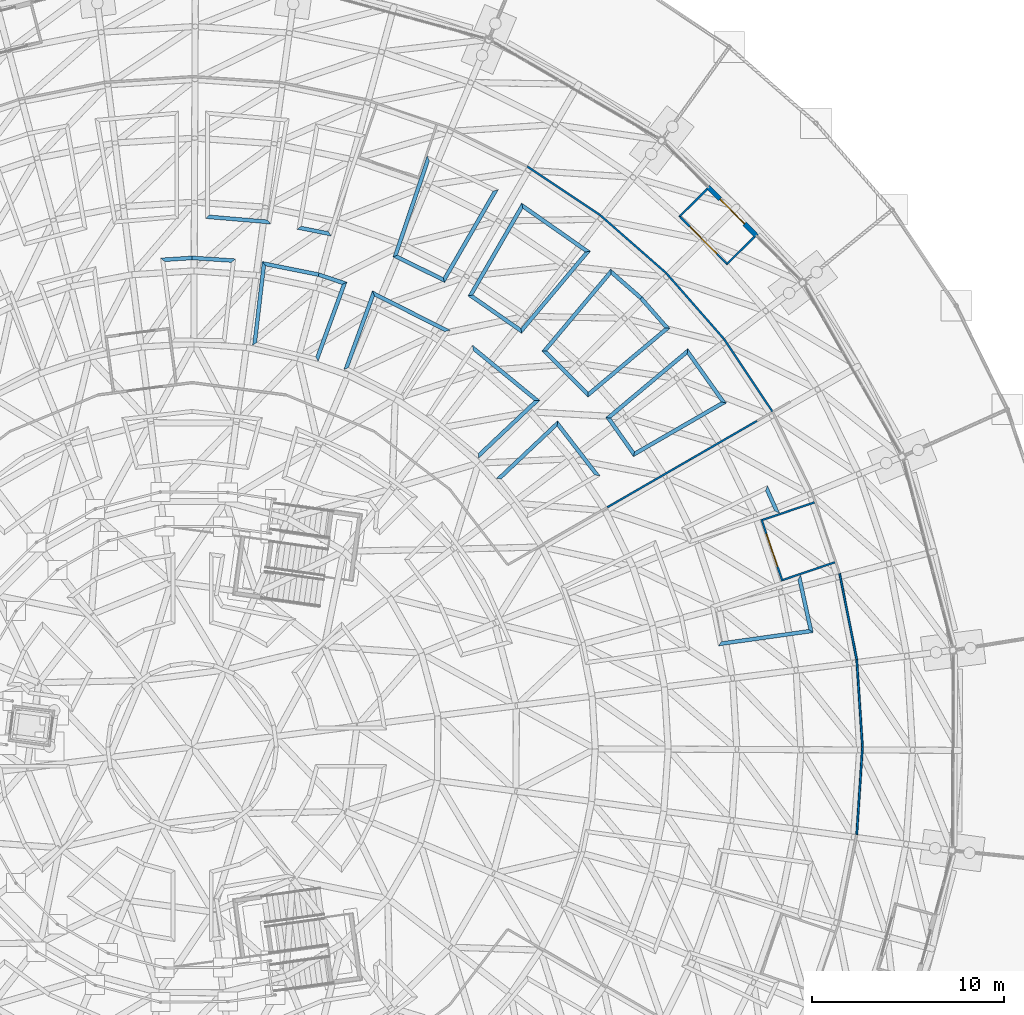
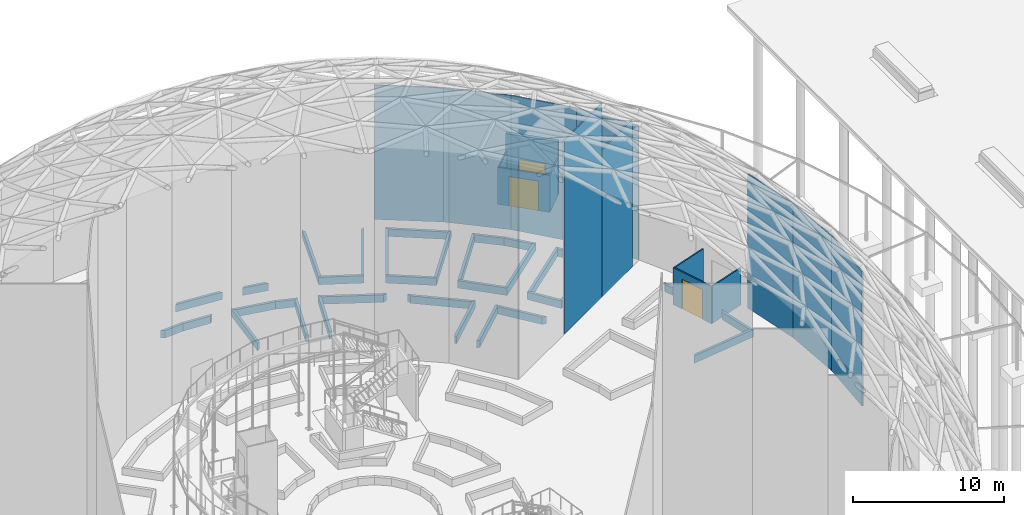
# One storey, part 179 of 226: 49 walls, 3 doors, 3 openings.
"""IFC4 building model written with IfcOpenShell, lengths in metres."""

from ifc_helpers import new_model, si_unit, direction, frame, frame_2d, origin, place, context, subcontext, project, spatial, polyline, rectangle, outline, extrude, material, layer, layer_set, type_object, element, fill, save


model = new_model("IFC4")

# Units and contexts
model_context = context("Model", 3, precision=1e-05, world=origin(), true_north=direction((0.0, 1.0)))
body_context = subcontext(model_context, "Body", "Model", "MODEL_VIEW")
ifc_project = project(units=[si_unit("LENGTHUNIT", "METRE"), si_unit("AREAUNIT", "SQUARE_METRE"), si_unit("VOLUMEUNIT", "CUBIC_METRE"), si_unit("PLANEANGLEUNIT", "RADIAN"), si_unit("MASSUNIT", "GRAM", prefix="KILO")], contexts=[model_context])

# Site, building, storey
site_placement = place(None, origin())
site = spatial("IfcSite", under=ifc_project, at=site_placement, CompositionType="ELEMENT")
building_placement = place(site_placement, origin())
building = spatial("IfcBuilding", under=site, at=building_placement, Name="Ceibo Conservatory and Research Tower", CompositionType="ELEMENT")
storey_placement = place(building_placement, origin())
storey = spatial("IfcBuildingStorey", under=building, at=storey_placement, Name="L00", CompositionType="ELEMENT", Elevation=0.0)

# Wall
ifc_material_1 = material(Name="Aluminium and glass", Category="aluminium")
ifc_layer_1 = layer(ifc_material_1, 0.10009765625)
ifc_layer_set_1 = layer_set([ifc_layer_1], Name="Aluminium and glass")
wall_type_1 = type_object("IfcWallType", Name="Airlock screen wall 100", PredefinedType="PARTITIONING", material=ifc_layer_set_1)
wall_1_placement = place(storey_placement, frame((185.3076171875, 134.5888671875, 0.0), z_axis=(0.0, 0.0, 1.0), x_axis=(-0.710212756129, -0.703987102887, 0.0)))
element("IfcWall", 1, at=wall_1_placement, inside=storey, type_object=wall_type_1, Name="Vestibule wall A-VW03", PredefinedType="PARTITIONING", context=body_context, shape_type="SweptSolid", body=[
    extrude(outline(polyline([(0.0, -0.050048828125), (1.949951171875, -0.050048828125), (2.050048828125, 0.050048828125), (0.0, 0.050048828125), (0.0, -0.050048828125)])), origin(), (0.0, 0.0, 1.0), 3.0),
])

# Wall, opening, door
wall_2_placement = place(storey_placement, frame((183.88720703125, 133.180908203125, 0.0), z_axis=(0.0, 0.0, 1.0), x_axis=(-0.704030927659, 0.71016931284, 0.0)))
wall_2 = element("IfcWall", 2, at=wall_2_placement, inside=storey, type_object=wall_type_1, Name="Vestibule wall A-VW03", PredefinedType="PARTITIONING", context=body_context, shape_type="SweptSolid", body=[
    extrude(outline(polyline([(0.050048828125, -0.050048828125), (3.449951171875, -0.050048828125), (3.550048828125, 0.050048828125), (-0.050048828125, 0.050048828125), (0.050048828125, -0.050048828125)])), origin(), (0.0, 0.0, 1.0), 3.0),
])
opening_1_placement = place(wall_2_placement, frame((0.75, 0.0, 0.0)))
opening_1 = element("IfcOpeningElement", 3, at=opening_1_placement, cuts=wall_2, Name="Opening A-VD03", PredefinedType="OPENING", context=body_context, shape_type="SweptSolid", body=[
    extrude(rectangle(XDim=2.0, YDim=2.39990234375, at=frame_2d((1.0, 1.199951171875))), frame((0.0, 0.06005859375, 0.0), z_axis=(0.0, -1.0, 0.0), x_axis=(1.0, 0.0, 0.0)), (0.0, 0.0, 1.0), 0.1201171875),
])
door_type_1 = type_object("IfcDoorType", Name="Gallery sliding door 2000x2400", OperationType="DOUBLE_DOOR_SLIDING", PredefinedType="DOOR", material=ifc_material_1)
door_1_placement = place(opening_1_placement, origin())
door_1 = element("IfcDoor", 4, at=door_1_placement, inside=storey, type_object=door_type_1, Name="Vestibule door A-VD03", OperationType="DOUBLE_DOOR_SLIDING", OverallHeight=2.39990234375, OverallWidth=2.0, PredefinedType="DOOR", context=body_context, shape_type="SweptSolid", body=[
    extrude(rectangle(XDim=2.0, YDim=2.39990234375, at=frame_2d((1.0, 1.199951171875))), frame((0.0, 0.02490234375, 0.0), z_axis=(0.0, -1.0, 0.0), x_axis=(1.0, 0.0, 0.0)), (0.0, 0.0, 1.0), 0.050048828125),
])
fill(opening_1, door_1)

# Walls
wall_3_placement = place(storey_placement, frame((181.423095703125, 135.66650390625, 0.0), z_axis=(0.0, 0.0, 1.0), x_axis=(0.710212756129, 0.703987102887, 0.0)))
element("IfcWall", 5, at=wall_3_placement, inside=storey, type_object=wall_type_1, Name="Vestibule wall A-VW03", PredefinedType="PARTITIONING", context=body_context, shape_type="SweptSolid", body=[
    extrude(outline(polyline([(0.050048828125, -0.050048828125), (2.0, -0.050048828125), (2.0, 0.050048828125), (-0.050048828125, 0.050048828125), (0.050048828125, -0.050048828125)])), origin(), (0.0, 0.0, 1.0), 3.0),
])
wall_4_placement = place(storey_placement, frame((190.949951171875, 108.0, 0.0), z_axis=(0.0, 0.0, 1.0), x_axis=(-0.065420166596, 0.997857806405, 0.0)))
element("IfcWall", 6, at=wall_4_placement, inside=storey, type_object=wall_type_1, Name="Glazed partition O", PredefinedType="PARTITIONING", context=body_context, shape_type="SweptSolid", body=[
    extrude(outline(polyline([(-0.003173828125, -0.050048828125), (4.57470703125, -0.050048828125), (4.568359375, 0.050048828125), (0.003173828125, 0.050048828125), (-0.003173828125, -0.050048828125)])), origin(), (0.0, 0.0, 1.0), 10.84130859375),
])
for number, where, z_axis, x_axis, name in (
    (7, (190.65087890625, 112.561767578125, 0.0), (0.0, 0.0, 1.0), (-0.195078787454, 0.9807875747, 0.0), "Glazed partition O"),
    (8, (186.267578125, 125.474853515625, 0.0), (0.0, 0.0, 1.0), (-0.555587164031, 0.831458299113, 0.0), "Glazed partition O"),
):
    element("IfcWall", number, at=place(storey_placement, frame(where, z_axis=z_axis, x_axis=x_axis)), inside=storey, type_object=wall_type_1, Name=name, PredefinedType="PARTITIONING", context=body_context, shape_type="SweptSolid", body=[
        extrude(outline(polyline([(-0.003173828125, -0.050048828125), (4.574951171875, -0.050048828125), (4.568603515625, 0.050048828125), (0.003173828125, 0.050048828125), (-0.003173828125, -0.050048828125)])), origin(), (0.0, 0.0, 1.0), 10.841552734375),
    ])
wall_5_placement = place(storey_placement, frame((183.7275390625, 129.276123046875, 0.0), z_axis=(0.0, 0.0, 1.0), x_axis=(-0.659317088075, 0.751864999433, 0.0)))
element("IfcWall", 9, at=wall_5_placement, inside=storey, type_object=wall_type_1, Name="Glazed partition O", PredefinedType="PARTITIONING", context=body_context, shape_type="SweptSolid", body=[
    extrude(outline(polyline([(-0.003173828125, -0.050048828125), (4.57470703125, -0.050048828125), (4.568359375, 0.050048828125), (0.003173828125, 0.050048828125), (-0.003173828125, -0.050048828125)])), origin(), (0.0, 0.0, 1.0), 10.841552734375),
])
wall_6_placement = place(storey_placement, frame((180.71337890625, 132.71337890625, 0.0), z_axis=(0.0, 0.0, 1.0), x_axis=(-0.751864999433, 0.659317088075, 0.0)))
element("IfcWall", 10, at=wall_6_placement, inside=storey, type_object=wall_type_1, Name="Glazed partition O", PredefinedType="PARTITIONING", context=body_context, shape_type="SweptSolid", body=[
    extrude(outline(polyline([(-0.003173828125, -0.050048828125), (4.57470703125, -0.050048828125), (4.568359375, 0.050048828125), (0.003173828125, 0.050048828125), (-0.003173828125, -0.050048828125)])), origin(), (0.0, 0.0, 1.0), 10.84130859375),
])
wall_7_placement = place(storey_placement, frame((177.276123046875, 135.7275390625, 0.0), z_axis=(0.0, 0.0, 1.0), x_axis=(-0.831458299113, 0.555587164031, 0.0)))
element("IfcWall", 11, at=wall_7_placement, inside=storey, type_object=wall_type_1, Name="Glazed partition O", PredefinedType="PARTITIONING", context=body_context, shape_type="SweptSolid", body=[
    extrude(outline(polyline([(-0.003173828125, -0.050048828125), (4.574951171875, -0.050048828125), (4.568603515625, 0.050048828125), (0.003173828125, 0.050048828125), (-0.003173828125, -0.050048828125)])), origin(), (0.0, 0.0, 1.0), 10.841552734375),
])
wall_8_placement = place(storey_placement, frame((190.65087890625, 103.438232421875, 0.0), z_axis=(0.0, 0.0, 1.0), x_axis=(0.065420166596, 0.997857806405, 0.0)))
element("IfcWall", 12, at=wall_8_placement, inside=storey, type_object=wall_type_1, Name="Glazed partition O", PredefinedType="PARTITIONING", context=body_context, shape_type="SweptSolid", body=[
    extrude(outline(polyline([(-0.003173828125, -0.050048828125), (4.57470703125, -0.050048828125), (4.568359375, 0.050048828125), (0.003173828125, 0.050048828125), (-0.003173828125, -0.050048828125)])), origin(), (0.0, 0.0, 1.0), 10.841552734375),
])
wall_9_placement = place(storey_placement, frame((177.650634765625, 120.5, 0.0), z_axis=(0.0, 0.0, 1.0), x_axis=(0.866022959057, 0.500004234368, 0.0)))
element("IfcWall", 13, at=wall_9_placement, inside=storey, type_object=wall_type_1, Name="Glazed partition R", PredefinedType="PARTITIONING", context=body_context, shape_type="SweptSolid", body=[
    extrude(rectangle(XDim=5.0, YDim=0.10009765625, at=frame_2d((2.5, 0.0))), origin(), (0.0, 0.0, 1.0), 15.635498046875),
])
wall_10_placement = place(storey_placement, frame((181.980712890625, 123.0, 0.0), z_axis=(0.0, 0.0, 1.0), x_axis=(0.866026010844, 0.49999894854, 0.0)))
element("IfcWall", 14, at=wall_10_placement, inside=storey, type_object=wall_type_1, Name="Glazed partition R", PredefinedType="PARTITIONING", context=body_context, shape_type="SweptSolid", body=[
    extrude(rectangle(XDim=4.0, YDim=0.10009765625, at=frame_2d((2.0, 0.0))), origin(), (0.0, 0.0, 1.0), 11.876220703125),
])
for number, where, z_axis, x_axis, name in (
    (15, (189.50732421875, 117.631591796875, 0.0), (0.0, 0.0, 1.0), (-0.946938665435, -0.321414318139, 0.0), "Glazed partition A"),
    (16, (188.446533203125, 120.756591796875, 0.0), (0.0, 0.0, 1.0), (-0.946938665435, -0.321414318139, 0.0), "Glazed partition A"),
):
    element("IfcWall", number, at=place(storey_placement, frame(where, z_axis=z_axis, x_axis=x_axis)), inside=storey, type_object=wall_type_1, Name=name, PredefinedType="PARTITIONING", context=body_context, shape_type="SweptSolid", body=[
        extrude(rectangle(XDim=2.849853515625, YDim=0.10009765625, at=frame_2d((1.4248046875, 0.0))), origin(), (0.0, 0.0, 1.0), 3.0),
    ])

# Wall, opening, door
wall_11_placement = place(storey_placement, frame((186.77734375, 116.652099609375, 0.0), z_axis=(0.0, 0.0, 1.0), x_axis=(-0.321457314446, 0.94692407034, 0.0)))
wall_11 = element("IfcWall", 17, at=wall_11_placement, inside=storey, type_object=wall_type_1, Name="Glazed partition A", PredefinedType="PARTITIONING", context=body_context, shape_type="SweptSolid", body=[
    extrude(rectangle(XDim=3.400146484375, YDim=0.10009765625, at=frame_2d((1.7001953125, 0.0))), origin(), (0.0, 0.0, 1.0), 3.0),
])
opening_2_placement = place(wall_11_placement, frame((0.800048828125, 0.0, 0.0)))
opening_2 = element("IfcOpeningElement", 18, at=opening_2_placement, cuts=wall_11, Name="Opening A-AL14", PredefinedType="OPENING", context=body_context, shape_type="SweptSolid", body=[
    extrude(rectangle(XDim=1.800048828125, YDim=2.39990234375, at=frame_2d((0.89990234375, 1.199951171875))), frame((0.0, 0.06005859375, 0.0), z_axis=(0.0, -1.0, 0.0), x_axis=(1.0, 0.0, 0.0)), (0.0, 0.0, 1.0), 0.1201171875),
])
door_type_2 = type_object("IfcDoorType", Name="Glass sliding door 1800x2400", OperationType="DOUBLE_DOOR_SLIDING", PredefinedType="DOOR", material=ifc_material_1)
door_2_placement = place(opening_2_placement, origin())
door_2 = element("IfcDoor", 19, at=door_2_placement, inside=storey, type_object=door_type_2, Name="Airlock door A-AL14", OperationType="DOUBLE_DOOR_SLIDING", OverallHeight=2.39990234375, OverallWidth=1.800048828125, PredefinedType="DOOR", context=body_context, shape_type="SweptSolid", body=[
    extrude(rectangle(XDim=1.800048828125, YDim=2.39990234375, at=frame_2d((0.89990234375, 1.199951171875))), frame((0.0, 0.02490234375, 0.0), z_axis=(0.0, -1.0, 0.0), x_axis=(1.0, 0.0, 0.0)), (0.0, 0.0, 1.0), 0.050048828125),
])
fill(opening_2, door_2)

# Walls
ifc_material_2 = material(Name="Masonry blockwork", Category="masonry")
ifc_layer_2 = layer(ifc_material_2, 0.199951171875)
ifc_layer_set_2 = layer_set([ifc_layer_2], Name="Masonry blockwork")
wall_type_2 = type_object("IfcWallType", Name="Dome planter wall 200", PredefinedType="SOLIDWALL", material=ifc_layer_set_2)
wall_12_placement = place(storey_placement, frame((183.518798828125, 113.38232421875, 0.0), z_axis=(0.0, 0.0, 1.0), x_axis=(0.990270725939, 0.139154192709, 0.0)))
element("IfcWall", 20, at=wall_12_placement, inside=storey, type_object=wall_type_2, Name="Planter wall A-PB024", PredefinedType="SOLIDWALL", context=body_context, shape_type="SweptSolid", body=[
    extrude(outline(polyline([(-0.094482421875, -0.10009765625), (4.90283203125, -0.10009765625), (4.68701171875, 0.10009765625), (0.094482421875, 0.10009765625), (-0.094482421875, -0.10009765625)])), origin(), (0.0, 0.0, 1.0), 0.60009765625),
])
wall_13_placement = place(storey_placement, frame((188.26708984375, 114.049560546875, 0.0), z_axis=(0.0, 0.0, 1.0), x_axis=(-0.214083653349, 0.976815330228, 0.0)))
element("IfcWall", 21, at=wall_13_placement, inside=storey, type_object=wall_type_2, Name="Planter wall A-PB024", PredefinedType="SOLIDWALL", context=body_context, shape_type="SweptSolid", body=[
    extrude(outline(polyline([(-0.10791015625, -0.10009765625), (2.97314453125, -0.10009765625), (2.74951171875, 0.10009765625), (0.10791015625, 0.10009765625), (-0.10791015625, -0.10009765625)])), origin(), (0.0, 0.0, 1.0), 0.60009765625),
])
wall_14_placement = place(storey_placement, frame((186.499267578125, 120.25390625, 0.0), z_axis=(0.0, 0.0, 1.0), x_axis=(-0.407857098005, 0.913045775198, 0.0)))
element("IfcWall", 22, at=wall_14_placement, inside=storey, type_object=wall_type_2, Name="Planter wall A-PB025", PredefinedType="SOLIDWALL", context=body_context, shape_type="SweptSolid", body=[
    extrude(outline(polyline([(-0.109619140625, -0.10009765625), (1.46044921875, -0.10009765625), (1.25341796875, 0.10009765625), (0.109619140625, 0.10009765625), (-0.109619140625, -0.10009765625)])), origin(), (0.0, 0.0, 1.0), 0.60009765625),
])
wall_15_placement = place(storey_placement, frame((177.13037109375, 122.16259765625, 0.0), z_axis=(0.0, 0.0, 1.0), x_axis=(-0.610967314026, 0.791655822433, 0.0)))
element("IfcWall", 23, at=wall_15_placement, inside=storey, type_object=wall_type_2, Name="Planter wall A-PB026", PredefinedType="SOLIDWALL", context=body_context, shape_type="SweptSolid", body=[
    extrude(outline(polyline([(-0.1142578125, -0.10009765625), (3.526123046875, -0.10009765625), (3.305419921875, 0.10009765625), (0.1142578125, 0.10009765625), (-0.1142578125, -0.10009765625)])), origin(), (0.0, 0.0, 1.0), 0.60009765625),
])
wall_16_placement = place(storey_placement, frame((175.04345703125, 124.86669921875, 0.0), z_axis=(0.0, 0.0, 1.0), x_axis=(-0.727365131806, -0.686250657582, 0.0)))
element("IfcWall", 24, at=wall_16_placement, inside=storey, type_object=wall_type_2, Name="Planter wall A-PB026", PredefinedType="SOLIDWALL", context=body_context, shape_type="SweptSolid", body=[
    extrude(outline(polyline([(-0.1103515625, -0.10009765625), (4.283203125, -0.10009765625), (4.1015625, 0.10009765625), (0.1103515625, 0.10009765625), (-0.1103515625, -0.10009765625)])), origin(), (0.0, 0.0, 1.0), 0.60009765625),
])
wall_17_placement = place(storey_placement, frame((170.923095703125, 123.17919921875, 0.0), z_axis=(0.0, 0.0, 1.0), x_axis=(0.727400754974, 0.686212898205, 0.0)))
element("IfcWall", 25, at=wall_17_placement, inside=storey, type_object=wall_type_2, Name="Planter wall A-PB027", PredefinedType="SOLIDWALL", context=body_context, shape_type="SweptSolid", body=[
    extrude(outline(polyline([(-0.088134765625, -0.10009765625), (4.322265625, -0.10009765625), (4.0947265625, 0.10009765625), (0.088134765625, 0.10009765625), (-0.088134765625, -0.10009765625)])), origin(), (0.0, 0.0, 1.0), 0.60009765625),
])
wall_18_placement = place(storey_placement, frame((173.984375, 126.067138671875, 0.0), z_axis=(0.0, 0.0, 1.0), x_axis=(-0.773378028369, 0.633945127937, 0.0)))
element("IfcWall", 26, at=wall_18_placement, inside=storey, type_object=wall_type_2, Name="Planter wall A-PB027", PredefinedType="SOLIDWALL", context=body_context, shape_type="SweptSolid", body=[
    extrude(outline(polyline([(-0.11376953125, -0.10009765625), (4.432373046875, -0.10009765625), (4.210205078125, 0.10009765625), (0.11376953125, 0.10009765625), (-0.11376953125, -0.10009765625)])), origin(), (0.0, 0.0, 1.0), 0.60009765625),
])
wall_19_placement = place(storey_placement, frame((169.310546875, 129.693603515625, 0.0), z_axis=(0.0, 0.0, 1.0), x_axis=(-0.892108995923, 0.451820251198, 0.0)))
element("IfcWall", 27, at=wall_19_placement, inside=storey, type_object=wall_type_2, Name="Planter wall A-PB028", PredefinedType="SOLIDWALL", context=body_context, shape_type="SweptSolid", body=[
    extrude(outline(polyline([(-0.112060546875, -0.10009765625), (4.431884765625, -0.10009765625), (4.206298828125, 0.10009765625), (0.112060546875, 0.10009765625), (-0.112060546875, -0.10009765625)])), origin(), (0.0, 0.0, 1.0), 0.60009765625),
])
wall_20_placement = place(storey_placement, frame((165.45751953125, 131.64501953125, 0.0), z_axis=(0.0, 0.0, 1.0), x_axis=(-0.34203510245, -0.939687175975, 0.0)))
element("IfcWall", 28, at=wall_20_placement, inside=storey, type_object=wall_type_2, Name="Planter wall A-PB028", PredefinedType="SOLIDWALL", context=body_context, shape_type="SweptSolid", body=[
    extrude(outline(polyline([(-0.11279296875, -0.10009765625), (4.249267578125, -0.10009765625), (4.073486328125, 0.10009765625), (0.11279296875, 0.10009765625), (-0.11279296875, -0.10009765625)])), origin(), (0.0, 0.0, 1.0), 0.60009765625),
])
wall_21_placement = place(storey_placement, frame((162.5107421875, 128.22705078125, 0.0), z_axis=(0.0, 0.0, 1.0), x_axis=(0.341990430397, 0.939703434875, 0.0)))
element("IfcWall", 29, at=wall_21_placement, inside=storey, type_object=wall_type_2, Name="Planter wall A-PB029", PredefinedType="SOLIDWALL", context=body_context, shape_type="SweptSolid", body=[
    extrude(outline(polyline([(-0.089599609375, -0.10009765625), (4.302001953125, -0.10009765625), (4.097412109375, 0.10009765625), (0.089599609375, 0.10009765625), (-0.089599609375, -0.10009765625)])), origin(), (0.0, 0.0, 1.0), 0.60009765625),
])
wall_22_placement = place(storey_placement, frame((163.947021484375, 132.173583984375, 0.0), z_axis=(0.0, 0.0, 1.0), x_axis=(-0.946935802016, 0.32142275411, 0.0)))
element("IfcWall", 30, at=wall_22_placement, inside=storey, type_object=wall_type_2, Name="Planter wall A-PB029", PredefinedType="SOLIDWALL", context=body_context, shape_type="SweptSolid", body=[
    extrude(outline(polyline([(-0.102294921875, -0.10009765625), (1.42919921875, -0.10009765625), (1.416015625, 0.10009765625), (0.102294921875, 0.10009765625), (-0.102294921875, -0.10009765625)])), origin(), (0.0, 0.0, 1.0), 0.60009765625),
])
wall_23_placement = place(storey_placement, frame((162.599853515625, 132.630859375, 0.0), z_axis=(0.0, 0.0, 1.0), x_axis=(-0.98077414007, 0.195146319901, 0.0)))
element("IfcWall", 31, at=wall_23_placement, inside=storey, type_object=wall_type_2, Name="Planter wall A-PB029", PredefinedType="SOLIDWALL", context=body_context, shape_type="SweptSolid", body=[
    extrude(outline(polyline([(-0.006591796875, -0.10009765625), (3.013427734375, -0.10009765625), (2.796630859375, 0.10009765625), (0.006591796875, 0.10009765625), (-0.006591796875, -0.10009765625)])), origin(), (0.0, 0.0, 1.0), 0.60009765625),
])
wall_24_placement = place(storey_placement, frame((159.750732421875, 133.19775390625, 0.0), z_axis=(0.0, 0.0, 1.0), x_axis=(-0.116097256741, -0.993237850153, 0.0)))
element("IfcWall", 32, at=wall_24_placement, inside=storey, type_object=wall_type_2, Name="Planter wall A-PB029", PredefinedType="SOLIDWALL", context=body_context, shape_type="SweptSolid", body=[
    extrude(outline(polyline([(-0.1083984375, -0.10009765625), (4.29638671875, -0.10009765625), (4.11962890625, 0.10009765625), (0.1083984375, 0.10009765625), (-0.1083984375, -0.10009765625)])), origin(), (0.0, 0.0, 1.0), 0.60009765625),
])
wall_25_placement = place(storey_placement, frame((158.158447265625, 133.3583984375, 0.0), z_axis=(0.0, 0.0, 1.0), x_axis=(-0.997862382097, 0.065350335848, 0.0)))
element("IfcWall", 33, at=wall_25_placement, inside=storey, type_object=wall_type_2, Name="Planter wall A-PB030", PredefinedType="SOLIDWALL", context=body_context, shape_type="SweptSolid", body=[
    extrude(outline(polyline([(-0.105224609375, -0.10009765625), (2.169677734375, -0.10009765625), (2.156494140625, 0.10009765625), (0.105224609375, 0.10009765625), (-0.105224609375, -0.10009765625)])), origin(), (0.0, 0.0, 1.0), 0.60009765625),
])
wall_26_placement = place(storey_placement, frame((156.0, 133.499755859375, 0.0), z_axis=(0.0, 0.0, 1.0), x_axis=(-0.997862064634, -0.065355183147, 0.0)))
element("IfcWall", 34, at=wall_26_placement, inside=storey, type_object=wall_type_2, Name="Planter wall A-PB030", PredefinedType="SOLIDWALL", context=body_context, shape_type="SweptSolid", body=[
    extrude(outline(polyline([(-0.006591796875, -0.10009765625), (1.63818359375, -0.10009765625), (1.4248046875, 0.10009765625), (0.006591796875, 0.10009765625), (-0.006591796875, -0.10009765625)])), origin(), (0.0, 0.0, 1.0), 0.60009765625),
])
wall_27_placement = place(storey_placement, frame((179.04052734375, 123.265380859375, 0.0), z_axis=(0.0, 0.0, 1.0), x_axis=(0.866022172979, 0.500005595877, 0.0)))
element("IfcWall", 35, at=wall_27_placement, inside=storey, type_object=wall_type_2, Name="Planter wall A-PB035", PredefinedType="SOLIDWALL", context=body_context, shape_type="SweptSolid", body=[
    extrude(outline(polyline([(-0.09130859375, -0.10009765625), (5.5087890625, -0.10009765625), (5.2890625, 0.10009765625), (0.09130859375, 0.10009765625), (-0.09130859375, -0.10009765625)])), origin(), (0.0, 0.0, 1.0), 0.60009765625),
])
wall_28_placement = place(storey_placement, frame((183.716064453125, 125.96484375, 0.0), z_axis=(0.0, 0.0, 1.0), x_axis=(-0.578645919293, 0.815578874227, 0.0)))
element("IfcWall", 36, at=wall_28_placement, inside=storey, type_object=wall_type_2, Name="Planter wall A-PB035", PredefinedType="SOLIDWALL", context=body_context, shape_type="SweptSolid", body=[
    extrude(outline(polyline([(-0.10986328125, -0.10009765625), (3.372802734375, -0.10009765625), (3.156005859375, 0.10009765625), (0.10986328125, 0.10009765625), (-0.10986328125, -0.10009765625)])), origin(), (0.0, 0.0, 1.0), 0.60009765625),
])
wall_29_placement = place(storey_placement, frame((181.8271484375, 128.627197265625, 0.0), z_axis=(0.0, 0.0, 1.0), x_axis=(-0.766051931069, -0.642778685789, 0.0)))
element("IfcWall", 37, at=wall_29_placement, inside=storey, type_object=wall_type_2, Name="Planter wall A-PB035", PredefinedType="SOLIDWALL", context=body_context, shape_type="SweptSolid", body=[
    extrude(outline(polyline([(-0.1083984375, -0.10009765625), (5.48095703125, -0.10009765625), (5.296875, 0.10009765625), (0.1083984375, 0.10009765625), (-0.1083984375, -0.10009765625)])), origin(), (0.0, 0.0, 1.0), 0.60009765625),
])
wall_30_placement = place(storey_placement, frame((177.698974609375, 125.163330078125, 0.0), z_axis=(0.0, 0.0, 1.0), x_axis=(0.577206834489, -0.816597985681, 0.0)))
element("IfcWall", 38, at=wall_30_placement, inside=storey, type_object=wall_type_2, Name="Planter wall A-PB035", PredefinedType="SOLIDWALL", context=body_context, shape_type="SweptSolid", body=[
    extrude(outline(polyline([(-0.092041015625, -0.10009765625), (2.41552734375, -0.10009765625), (2.23291015625, 0.10009765625), (0.092041015625, 0.10009765625), (-0.092041015625, -0.10009765625)])), origin(), (0.0, 0.0, 1.0), 0.60009765625),
])
wall_31_placement = place(storey_placement, frame((176.646728515625, 126.369140625, 0.0), z_axis=(0.0, 0.0, 1.0), x_axis=(0.766065759972, 0.642762204395, 0.0)))
element("IfcWall", 39, at=wall_31_placement, inside=storey, type_object=wall_type_2, Name="Planter wall A-PB036", PredefinedType="SOLIDWALL", context=body_context, shape_type="SweptSolid", body=[
    extrude(outline(polyline([(-0.091552734375, -0.10009765625), (5.497802734375, -0.10009765625), (5.293212890625, 0.10009765625), (0.091552734375, 0.10009765625), (-0.091552734375, -0.10009765625)])), origin(), (0.0, 0.0, 1.0), 0.60009765625),
])
wall_32_placement = place(storey_placement, frame((180.780029296875, 129.837158203125, 0.0), z_axis=(0.0, 0.0, 1.0), x_axis=(-0.659349597387, 0.751836490486, 0.0)))
element("IfcWall", 40, at=wall_32_placement, inside=storey, type_object=wall_type_2, Name="Planter wall A-PB036", PredefinedType="SOLIDWALL", context=body_context, shape_type="SweptSolid", body=[
    extrude(outline(polyline([(-0.102294921875, -0.10009765625), (2.092041015625, -0.10009765625), (2.078857421875, 0.10009765625), (0.102294921875, 0.10009765625), (-0.102294921875, -0.10009765625)])), origin(), (0.0, 0.0, 1.0), 0.60009765625),
])
wall_33_placement = place(storey_placement, frame((179.405029296875, 131.405029296875, 0.0), z_axis=(0.0, 0.0, 1.0), x_axis=(-0.751836490486, 0.659349597387, 0.0)))
element("IfcWall", 41, at=wall_33_placement, inside=storey, type_object=wall_type_2, Name="Planter wall A-PB036", PredefinedType="SOLIDWALL", context=body_context, shape_type="SweptSolid", body=[
    extrude(outline(polyline([(-0.006591796875, -0.10009765625), (2.187744140625, -0.10009765625), (1.983154296875, 0.10009765625), (0.006591796875, 0.10009765625), (-0.006591796875, -0.10009765625)])), origin(), (0.0, 0.0, 1.0), 0.60009765625),
])
wall_34_placement = place(storey_placement, frame((177.837158203125, 132.780029296875, 0.0), z_axis=(0.0, 0.0, 1.0), x_axis=(-0.642762204395, -0.766065759972, 0.0)))
element("IfcWall", 42, at=wall_34_placement, inside=storey, type_object=wall_type_2, Name="Planter wall A-PB036", PredefinedType="SOLIDWALL", context=body_context, shape_type="SweptSolid", body=[
    extrude(outline(polyline([(-0.102294921875, -0.10009765625), (5.487060546875, -0.10009765625), (5.303955078125, 0.10009765625), (0.102294921875, 0.10009765625), (-0.102294921875, -0.10009765625)])), origin(), (0.0, 0.0, 1.0), 0.60009765625),
])
wall_35_placement = place(storey_placement, frame((174.369140625, 128.646728515625, 0.0), z_axis=(0.0, 0.0, 1.0), x_axis=(0.707106781187, -0.707106781187, 0.0)))
element("IfcWall", 43, at=wall_35_placement, inside=storey, type_object=wall_type_2, Name="Planter wall A-PB036", PredefinedType="SOLIDWALL", context=body_context, shape_type="SweptSolid", body=[
    extrude(outline(polyline([(-0.091552734375, -0.10009765625), (3.3125, -0.10009765625), (3.12939453125, 0.10009765625), (0.091552734375, 0.10009765625), (-0.091552734375, -0.10009765625)])), origin(), (0.0, 0.0, 1.0), 0.60009765625),
])
wall_36_placement = place(storey_placement, frame((173.162841796875, 129.698486328125, 0.0), z_axis=(0.0, 0.0, 1.0), x_axis=(0.642778685789, 0.766051931069, 0.0)))
element("IfcWall", 44, at=wall_36_placement, inside=storey, type_object=wall_type_2, Name="Planter wall A-PB037", PredefinedType="SOLIDWALL", context=body_context, shape_type="SweptSolid", body=[
    extrude(outline(polyline([(-0.09130859375, -0.10009765625), (5.498046875, -0.10009765625), (5.27978515625, 0.10009765625), (0.09130859375, 0.10009765625), (-0.09130859375, -0.10009765625)])), origin(), (0.0, 0.0, 1.0), 0.60009765625),
])
wall_37_placement = place(storey_placement, frame((176.626708984375, 133.82666015625, 0.0), z_axis=(0.0, 0.0, 1.0), x_axis=(-0.818876598301, 0.573969613094, 0.0)))
element("IfcWall", 45, at=wall_37_placement, inside=storey, type_object=wall_type_2, Name="Planter wall A-PB037", PredefinedType="SOLIDWALL", context=body_context, shape_type="SweptSolid", body=[
    extrude(outline(polyline([(-0.109130859375, -0.10009765625), (4.275146484375, -0.10009765625), (4.056884765625, 0.10009765625), (0.109130859375, 0.10009765625), (-0.109130859375, -0.10009765625)])), origin(), (0.0, 0.0, 1.0), 0.60009765625),
])
wall_38_placement = place(storey_placement, frame((173.21533203125, 136.2177734375, 0.0), z_axis=(0.0, 0.0, 1.0), x_axis=(-0.500005595877, -0.866022172979, 0.0)))
element("IfcWall", 46, at=wall_38_placement, inside=storey, type_object=wall_type_2, Name="Planter wall A-PB037", PredefinedType="SOLIDWALL", context=body_context, shape_type="SweptSolid", body=[
    extrude(outline(polyline([(-0.109130859375, -0.10009765625), (5.49072265625, -0.10009765625), (5.30712890625, 0.10009765625), (0.109130859375, 0.10009765625), (-0.109130859375, -0.10009765625)])), origin(), (0.0, 0.0, 1.0), 0.60009765625),
])
wall_39_placement = place(storey_placement, frame((170.515869140625, 131.542236328125, 0.0), z_axis=(0.0, 0.0, 1.0), x_axis=(0.820559510955, -0.571561098205, 0.0)))
element("IfcWall", 47, at=wall_39_placement, inside=storey, type_object=wall_type_2, Name="Planter wall A-PB037", PredefinedType="SOLIDWALL", context=body_context, shape_type="SweptSolid", body=[
    extrude(outline(polyline([(-0.091796875, -0.10009765625), (3.317138671875, -0.10009765625), (3.134521484375, 0.10009765625), (0.091796875, 0.10009765625), (-0.091796875, -0.10009765625)])), origin(), (0.0, 0.0, 1.0), 0.60009765625),
])
wall_40_placement = place(storey_placement, frame((166.58984375, 133.596923828125, 0.0), z_axis=(0.0, 0.0, 1.0), x_axis=(0.896877893618, -0.442278242669, 0.0)))
element("IfcWall", 48, at=wall_40_placement, inside=storey, type_object=wall_type_2, Name="Planter wall A-PB038", PredefinedType="SOLIDWALL", context=body_context, shape_type="SweptSolid", body=[
    extrude(outline(polyline([(-0.087646484375, -0.10009765625), (2.92724609375, -0.10009765625), (2.73974609375, 0.10009765625), (0.087646484375, 0.10009765625), (-0.087646484375, -0.10009765625)])), origin(), (0.0, 0.0, 1.0), 0.60009765625),
])
wall_41_placement = place(storey_placement, frame((169.131103515625, 132.34375, 0.0), z_axis=(0.0, 0.0, 1.0), x_axis=(0.499996507672, 0.866027420072, 0.0)))
element("IfcWall", 49, at=wall_41_placement, inside=storey, type_object=wall_type_2, Name="Planter wall A-PB038", PredefinedType="SOLIDWALL", context=body_context, shape_type="SweptSolid", body=[
    extrude(outline(polyline([(-0.09375, -0.10009765625), (5.50634765625, -0.10009765625), (5.28955078125, 0.10009765625), (0.09375, 0.10009765625), (-0.09375, -0.10009765625)])), origin(), (0.0, 0.0, 1.0), 0.60009765625),
])
wall_42_placement = place(storey_placement, frame((168.3173828125, 138.685791015625, 0.0), z_axis=(0.0, 0.0, 1.0), x_axis=(-0.321456387815, -0.946924384908, 0.0)))
element("IfcWall", 50, at=wall_42_placement, inside=storey, type_object=wall_type_2, Name="Planter wall A-PB038", PredefinedType="SOLIDWALL", context=body_context, shape_type="SweptSolid", body=[
    extrude(outline(polyline([(-0.1123046875, -0.10009765625), (5.461669921875, -0.10009765625), (5.286376953125, 0.10009765625), (0.1123046875, 0.10009765625), (-0.1123046875, -0.10009765625)])), origin(), (0.0, 0.0, 1.0), 0.60009765625),
])
wall_43_placement = place(storey_placement, frame((161.585693359375, 135.0712890625, 0.0), z_axis=(0.0, 0.0, 1.0), x_axis=(0.980805191307, -0.194990196435, 0.0)))
element("IfcWall", 51, at=wall_43_placement, inside=storey, type_object=wall_type_2, Name="Planter wall A-PB039", PredefinedType="SOLIDWALL", context=body_context, shape_type="SweptSolid", body=[
    extrude(outline(polyline([(-0.097900390625, -0.10009765625), (1.714111328125, -0.10009765625), (1.538818359375, 0.10009765625), (0.097900390625, 0.10009765625), (-0.097900390625, -0.10009765625)])), origin(), (0.0, 0.0, 1.0), 0.60009765625),
])
wall_44_placement = place(storey_placement, frame((156.800048828125, 135.64599609375, 0.0), z_axis=(0.0, 0.0, 1.0), x_axis=(0.996413502028, -0.084617568953, 0.0)))
element("IfcWall", 52, at=wall_44_placement, inside=storey, type_object=wall_type_2, Name="Planter wall A-PB040", PredefinedType="SOLIDWALL", context=body_context, shape_type="SweptSolid", body=[
    extrude(outline(polyline([(-0.091796875, -0.10009765625), (3.31689453125, -0.10009765625), (3.13427734375, 0.10009765625), (0.091796875, 0.10009765625), (-0.091796875, -0.10009765625)])), origin(), (0.0, 0.0, 1.0), 0.60009765625),
])

# Wall, opening, door
ifc_material_3 = material(Name="Concrete C35/45", Category="concrete")
ifc_layer_3 = layer(ifc_material_3, 0.25)
ifc_layer_set_3 = layer_set([ifc_layer_3], Name="Concrete C35/45")
wall_type_3 = type_object("IfcWallType", Name="Drum door stub wall 250", PredefinedType="SOLIDWALL", material=ifc_layer_set_3)
wall_45_placement = place(storey_placement, frame((185.431640625, 134.641357421875, 0.0), z_axis=(0.0, 0.0, 1.0), x_axis=(-0.704014348295, 0.710185748516, 0.0)))
wall_45 = element("IfcWall", 53, at=wall_45_placement, inside=storey, type_object=wall_type_3, Name="Drum door stub wall A-W03", PredefinedType="SOLIDWALL", context=body_context, shape_type="SweptSolid", body=[
    extrude(rectangle(XDim=3.599853515625, YDim=0.25, at=frame_2d((1.7998046875, 0.0))), origin(), (0.0, 0.0, 1.0), 4.338134765625),
])
opening_3_placement = place(wall_45_placement, frame((0.89990234375, 0.0, 0.0)))
opening_3 = element("IfcOpeningElement", 54, at=opening_3_placement, cuts=wall_45, Name="Opening A-D01", PredefinedType="OPENING", context=body_context, shape_type="SweptSolid", body=[
    extrude(rectangle(XDim=1.800048828125, YDim=2.39990234375, at=frame_2d((0.89990234375, 1.199951171875))), frame((0.0, 0.135009765625, 0.0), z_axis=(0.0, -1.0, 0.0), x_axis=(1.0, 0.0, 0.0)), (0.0, 0.0, 1.0), 0.27001953125),
])
door_type_3 = type_object("IfcDoorType", Name="Drum double door 1800x2400", OperationType="DOUBLE_DOOR_SINGLE_SWING", PredefinedType="DOOR", material=ifc_material_1)
door_3_placement = place(opening_3_placement, frame((1.800048828125, 0.0, 0.0), z_axis=(0.0, 0.0, 1.0), x_axis=(-1.0, 0.0, 0.0)))
door_3 = element("IfcDoor", 55, at=door_3_placement, inside=storey, type_object=door_type_3, Name="Drum door A-D01", OperationType="DOUBLE_DOOR_SINGLE_SWING", OverallHeight=2.39990234375, OverallWidth=1.800048828125, PredefinedType="DOOR", context=body_context, shape_type="SweptSolid", body=[
    extrude(rectangle(XDim=1.800048828125, YDim=2.39990234375, at=frame_2d((0.89990234375, 1.199951171875))), frame((0.0, 0.02490234375, 0.0), z_axis=(0.0, -1.0, 0.0), x_axis=(1.0, 0.0, 0.0)), (0.0, 0.0, 1.0), 0.050048828125),
])
fill(opening_3, door_3)

save(model, "model.ifc")
